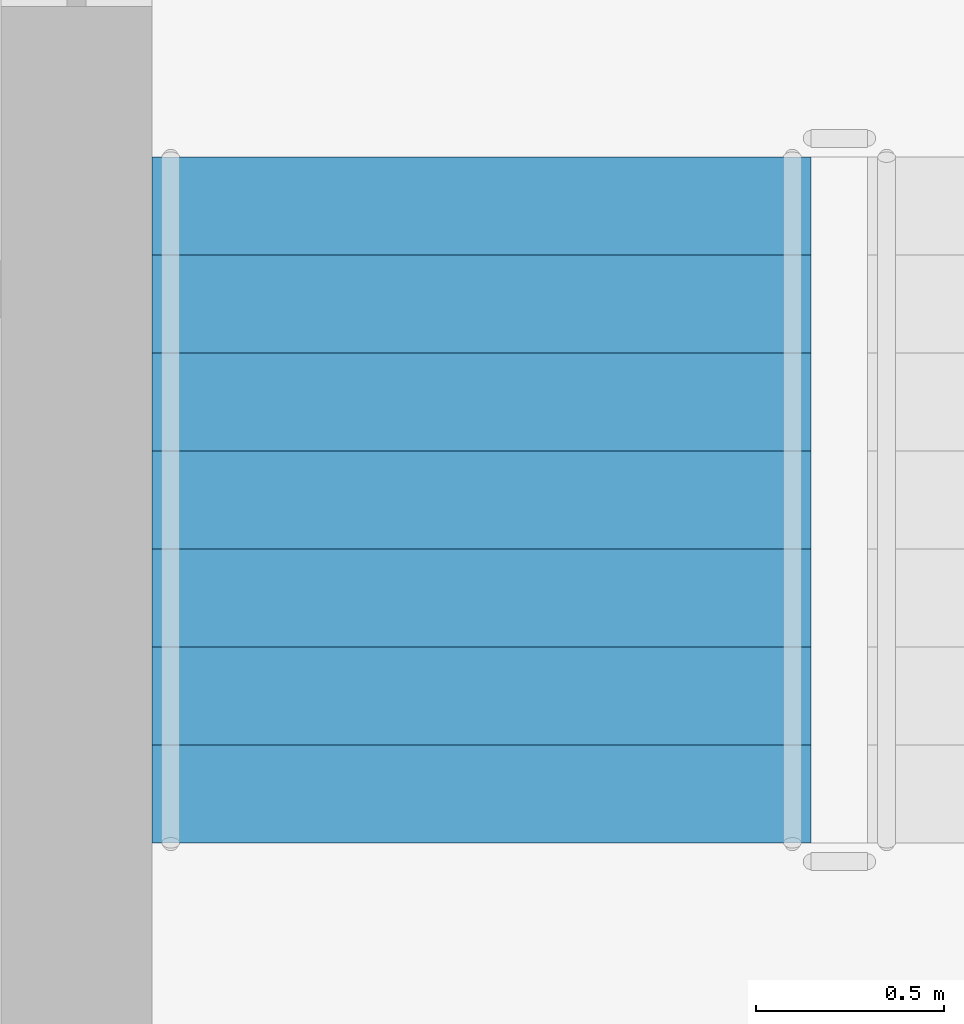
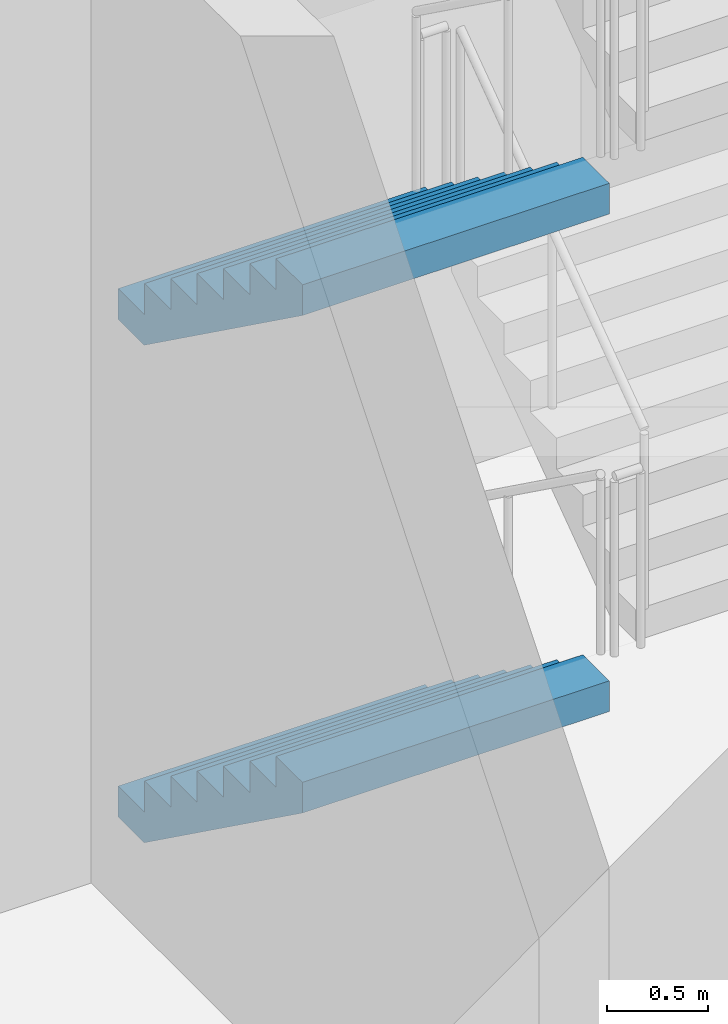
# One storey, part 51 of 75: 2 stair flights, 1 element without a shape of its own.
"""IFC4 building model written with IfcOpenShell, lengths in metres."""

from ifc_helpers import new_model, si_unit, direction, frame, origin, place, context, subcontext, project, spatial, faceted_brep, material, type_object, element, aggregate, save


model = new_model("IFC4")

# Units and contexts
model_context = context("Model", 3, precision=1e-05, world=origin(), true_north=direction((0.0, 1.0)))
body_context = subcontext(model_context, "Body", "Model", "MODEL_VIEW")
ifc_project = project(units=[si_unit("LENGTHUNIT", "METRE"), si_unit("AREAUNIT", "SQUARE_METRE"), si_unit("VOLUMEUNIT", "CUBIC_METRE"), si_unit("PLANEANGLEUNIT", "RADIAN"), si_unit("MASSUNIT", "GRAM", prefix="KILO")], contexts=[model_context])

# Site, building, storey
site_placement = place(None, origin())
site = spatial("IfcSite", under=ifc_project, at=site_placement, CompositionType="ELEMENT")
building_placement = place(site_placement, origin())
building = spatial("IfcBuilding", under=site, at=building_placement, Name="Ipe Terrace Towers", CompositionType="ELEMENT")
storey_placement = place(building_placement, origin())
storey = spatial("IfcBuildingStorey", under=building, at=storey_placement, Name="L00", CompositionType="ELEMENT", Elevation=0.0)

# Stair, stair flights
ifc_material_1 = material(Name="Concrete C30/37", Category="concrete")
stair_type = type_object("IfcStairType", Name="Protected exit stair", PredefinedType="HALF_TURN_STAIR", material=ifc_material_1)
stair_placement = place(storey_placement, origin())
stair = element("IfcStair", 1, at=stair_placement, inside=storey, type_object=stair_type, Name="L00 Exit stair T2-C2", PredefinedType="HALF_TURN_STAIR")
ifc_material_2 = material(Name="Concrete C30/37", Category="concrete")
stair_flight_type = type_object("IfcStairFlightType", Name="Exit stair flight 1750", PredefinedType="STRAIGHT", material=ifc_material_2)
stair_flight_1_placement = place(storey_placement, frame((38.77490234375, -9.699951171875, 0.0), z_axis=(0.0, 0.0, 1.0), x_axis=(0.0, -1.0, 0.0)))
stair_flight_1 = element("IfcStairFlight", 2, at=stair_flight_1_placement, type_object=stair_flight_type, Name="T2-ST2 flight 1", NumberOfRisers=8, NumberOfTreads=7, PredefinedType="STRAIGHT", RiserHeight=0.1875, TreadLength=0.26, context=body_context, shape_type="Brep", body=[
    faceted_brep([(0.25634765625, -0.875, 0.0), (1.820068359375, -0.875, 1.127685546875), (1.820068359375, -0.875, 1.3125), (1.56005859375, -0.875, 1.3125), (1.56005859375, -0.875, 1.125), (1.300048828125, -0.875, 1.125), (1.300048828125, -0.875, 0.9375), (1.0400390625, -0.875, 0.9375), (1.0400390625, -0.875, 0.75), (0.780029296875, -0.875, 0.75), (0.780029296875, -0.875, 0.5625), (0.52001953125, -0.875, 0.5625), (0.52001953125, -0.875, 0.375), (0.260009765625, -0.875, 0.375), (0.260009765625, -0.875, 0.1875), (0.0, -0.875, 0.1875), (0.0, -0.875, 0.0), (0.0, 0.875, 0.0), (0.0, 0.875, 0.1875), (0.260009765625, 0.875, 0.1875), (0.260009765625, 0.875, 0.375), (0.52001953125, 0.875, 0.375), (0.52001953125, 0.875, 0.5625), (0.780029296875, 0.875, 0.5625), (0.780029296875, 0.875, 0.75), (1.0400390625, 0.875, 0.75), (1.0400390625, 0.875, 0.9375), (1.300048828125, 0.875, 0.9375), (1.300048828125, 0.875, 1.125), (1.56005859375, 0.875, 1.125), (1.56005859375, 0.875, 1.3125), (1.820068359375, 0.875, 1.3125), (1.820068359375, 0.875, 1.127685546875), (0.25634765625, 0.875, 0.0), (0.0, -0.300048828125, 0.1875), (0.0, -0.1201171875, 0.1875), (0.0, -0.06005859375, 0.1875), (0.0, -0.030029296875, 0.1875), (0.0, -0.010009765625, 0.1875), (0.0, 0.0, 0.1875), (0.0, 0.010009765625, 0.1875), (0.0, 0.030029296875, 0.1875), (0.0, 0.06005859375, 0.1875), (0.0, 0.1201171875, 0.1875), (0.0, 0.300048828125, 0.1875), (0.0, 0.300048828125, 0.0), (0.0, 0.1201171875, 0.0), (0.0, 0.06005859375, 0.0), (0.0, 0.030029296875, 0.0), (0.0, 0.010009765625, 0.0), (0.0, 0.0, 0.0), (0.0, -0.010009765625, 0.0), (0.0, -0.030029296875, 0.0), (0.0, -0.06005859375, 0.0), (0.0, -0.1201171875, 0.0), (0.0, -0.300048828125, 0.0), (0.260009765625, -0.300048828125, 0.1875), (0.260009765625, -0.1201171875, 0.1875), (0.260009765625, -0.06005859375, 0.1875), (0.260009765625, -0.030029296875, 0.1875), (0.260009765625, -0.010009765625, 0.1875), (0.260009765625, 0.0, 0.1875), (0.260009765625, 0.010009765625, 0.1875), (0.260009765625, 0.030029296875, 0.1875), (0.260009765625, 0.06005859375, 0.1875), (0.260009765625, 0.1201171875, 0.1875), (0.260009765625, 0.300048828125, 0.1875), (0.260009765625, -0.300048828125, 0.375), (0.260009765625, -0.1201171875, 0.375), (0.260009765625, -0.06005859375, 0.375), (0.260009765625, -0.030029296875, 0.375), (0.260009765625, -0.010009765625, 0.375), (0.260009765625, 0.0, 0.375), (0.260009765625, 0.010009765625, 0.375), (0.260009765625, 0.030029296875, 0.375), (0.260009765625, 0.06005859375, 0.375), (0.260009765625, 0.1201171875, 0.375), (0.260009765625, 0.300048828125, 0.375), (0.52001953125, -0.300048828125, 0.375), (0.52001953125, -0.1201171875, 0.375), (0.52001953125, -0.06005859375, 0.375), (0.52001953125, -0.030029296875, 0.375), (0.52001953125, -0.010009765625, 0.375), (0.52001953125, 0.0, 0.375), (0.52001953125, 0.010009765625, 0.375), (0.52001953125, 0.030029296875, 0.375), (0.52001953125, 0.06005859375, 0.375), (0.52001953125, 0.1201171875, 0.375), (0.52001953125, 0.300048828125, 0.375), (0.52001953125, -0.300048828125, 0.5625), (0.52001953125, -0.1201171875, 0.5625), (0.52001953125, -0.06005859375, 0.5625), (0.52001953125, -0.030029296875, 0.5625), (0.52001953125, -0.010009765625, 0.5625), (0.52001953125, 0.0, 0.5625), (0.52001953125, 0.010009765625, 0.5625), (0.52001953125, 0.030029296875, 0.5625), (0.52001953125, 0.06005859375, 0.5625), (0.52001953125, 0.1201171875, 0.5625), (0.52001953125, 0.300048828125, 0.5625), (0.780029296875, -0.300048828125, 0.5625), (0.780029296875, -0.1201171875, 0.5625), (0.780029296875, -0.06005859375, 0.5625), (0.780029296875, -0.030029296875, 0.5625), (0.780029296875, -0.010009765625, 0.5625), (0.780029296875, 0.0, 0.5625), (0.780029296875, 0.010009765625, 0.5625), (0.780029296875, 0.030029296875, 0.5625), (0.780029296875, 0.06005859375, 0.5625), (0.780029296875, 0.1201171875, 0.5625), (0.780029296875, 0.300048828125, 0.5625), (0.780029296875, -0.300048828125, 0.75), (0.780029296875, -0.1201171875, 0.75), (0.780029296875, -0.06005859375, 0.75), (0.780029296875, -0.030029296875, 0.75), (0.780029296875, -0.010009765625, 0.75), (0.780029296875, 0.0, 0.75), (0.780029296875, 0.010009765625, 0.75), (0.780029296875, 0.030029296875, 0.75), (0.780029296875, 0.06005859375, 0.75), (0.780029296875, 0.1201171875, 0.75), (0.780029296875, 0.300048828125, 0.75), (1.0400390625, -0.300048828125, 0.75), (1.0400390625, -0.1201171875, 0.75), (1.0400390625, -0.06005859375, 0.75), (1.0400390625, -0.030029296875, 0.75), (1.0400390625, -0.010009765625, 0.75), (1.0400390625, 0.0, 0.75), (1.0400390625, 0.010009765625, 0.75), (1.0400390625, 0.030029296875, 0.75), (1.0400390625, 0.06005859375, 0.75), (1.0400390625, 0.1201171875, 0.75), (1.0400390625, 0.300048828125, 0.75), (1.0400390625, -0.300048828125, 0.9375), (1.0400390625, -0.1201171875, 0.9375), (1.0400390625, -0.06005859375, 0.9375), (1.0400390625, -0.030029296875, 0.9375), (1.0400390625, -0.010009765625, 0.9375), (1.0400390625, 0.0, 0.9375), (1.0400390625, 0.010009765625, 0.9375), (1.0400390625, 0.030029296875, 0.9375), (1.0400390625, 0.06005859375, 0.9375), (1.0400390625, 0.1201171875, 0.9375), (1.0400390625, 0.300048828125, 0.9375), (1.300048828125, -0.300048828125, 0.9375), (1.300048828125, -0.1201171875, 0.9375), (1.300048828125, -0.06005859375, 0.9375), (1.300048828125, -0.030029296875, 0.9375), (1.300048828125, -0.010009765625, 0.9375), (1.300048828125, 0.0, 0.9375), (1.300048828125, 0.010009765625, 0.9375), (1.300048828125, 0.030029296875, 0.9375), (1.300048828125, 0.06005859375, 0.9375), (1.300048828125, 0.1201171875, 0.9375), (1.300048828125, 0.300048828125, 0.9375), (1.300048828125, -0.300048828125, 1.125), (1.300048828125, -0.1201171875, 1.125), (1.300048828125, -0.06005859375, 1.125), (1.300048828125, -0.030029296875, 1.125), (1.300048828125, -0.010009765625, 1.125), (1.300048828125, 0.0, 1.125), (1.300048828125, 0.010009765625, 1.125), (1.300048828125, 0.030029296875, 1.125), (1.300048828125, 0.06005859375, 1.125), (1.300048828125, 0.1201171875, 1.125), (1.300048828125, 0.300048828125, 1.125), (1.56005859375, -0.300048828125, 1.125), (1.56005859375, -0.1201171875, 1.125), (1.56005859375, -0.06005859375, 1.125), (1.56005859375, -0.030029296875, 1.125), (1.56005859375, -0.010009765625, 1.125), (1.56005859375, 0.0, 1.125), (1.56005859375, 0.010009765625, 1.125), (1.56005859375, 0.030029296875, 1.125), (1.56005859375, 0.06005859375, 1.125), (1.56005859375, 0.1201171875, 1.125), (1.56005859375, 0.300048828125, 1.125), (1.56005859375, -0.300048828125, 1.3125), (1.56005859375, -0.1201171875, 1.3125), (1.56005859375, -0.06005859375, 1.3125), (1.56005859375, -0.030029296875, 1.3125), (1.56005859375, -0.010009765625, 1.3125), (1.56005859375, 0.0, 1.3125), (1.56005859375, 0.010009765625, 1.3125), (1.56005859375, 0.030029296875, 1.3125), (1.56005859375, 0.06005859375, 1.3125), (1.56005859375, 0.1201171875, 1.3125), (1.56005859375, 0.300048828125, 1.3125), (1.820068359375, -0.300048828125, 1.3125), (1.820068359375, -0.1201171875, 1.3125), (1.820068359375, -0.06005859375, 1.3125), (1.820068359375, -0.030029296875, 1.3125), (1.820068359375, -0.010009765625, 1.3125), (1.820068359375, 0.0, 1.3125), (1.820068359375, 0.010009765625, 1.3125), (1.820068359375, 0.030029296875, 1.3125), (1.820068359375, 0.06005859375, 1.3125), (1.820068359375, 0.1201171875, 1.3125), (1.820068359375, 0.300048828125, 1.3125), (1.820068359375, -0.300048828125, 1.127685546875), (1.820068359375, -0.1201171875, 1.127685546875), (1.820068359375, -0.06005859375, 1.127685546875), (1.820068359375, -0.030029296875, 1.127685546875), (1.820068359375, -0.010009765625, 1.127685546875), (1.820068359375, 0.0, 1.127685546875), (1.820068359375, 0.010009765625, 1.127685546875), (1.820068359375, 0.030029296875, 1.127685546875), (1.820068359375, 0.06005859375, 1.127685546875), (1.820068359375, 0.1201171875, 1.127685546875), (1.820068359375, 0.300048828125, 1.127685546875), (0.25634765625, -0.300048828125, 0.0), (0.25634765625, -0.1201171875, 0.0), (0.25634765625, -0.06005859375, 0.0), (0.25634765625, -0.030029296875, 0.0), (0.25634765625, -0.010009765625, 0.0), (0.25634765625, 0.0, 0.0), (0.25634765625, 0.010009765625, 0.0), (0.25634765625, 0.030029296875, 0.0), (0.25634765625, 0.06005859375, 0.0), (0.25634765625, 0.1201171875, 0.0), (0.25634765625, 0.300048828125, 0.0)], [[[0, 1, 2, 3, 4, 5, 6, 7, 8, 9, 10, 11, 12, 13, 14, 15, 16]], [[17, 18, 19, 20, 21, 22, 23, 24, 25, 26, 27, 28, 29, 30, 31, 32, 33]], [[15, 34, 35, 36, 37, 38, 39, 40, 41, 42, 43, 44, 18, 17, 45, 46, 47, 48, 49, 50, 51, 52, 53, 54, 55, 16]], [[14, 56, 57, 58, 59, 60, 61, 62, 63, 64, 65, 66, 19, 18, 44, 43, 42, 41, 40, 39, 38, 37, 36, 35, 34, 15]], [[13, 67, 68, 69, 70, 71, 72, 73, 74, 75, 76, 77, 20, 19, 66, 65, 64, 63, 62, 61, 60, 59, 58, 57, 56, 14]], [[12, 78, 79, 80, 81, 82, 83, 84, 85, 86, 87, 88, 21, 20, 77, 76, 75, 74, 73, 72, 71, 70, 69, 68, 67, 13]], [[11, 89, 90, 91, 92, 93, 94, 95, 96, 97, 98, 99, 22, 21, 88, 87, 86, 85, 84, 83, 82, 81, 80, 79, 78, 12]], [[10, 100, 101, 102, 103, 104, 105, 106, 107, 108, 109, 110, 23, 22, 99, 98, 97, 96, 95, 94, 93, 92, 91, 90, 89, 11]], [[9, 111, 112, 113, 114, 115, 116, 117, 118, 119, 120, 121, 24, 23, 110, 109, 108, 107, 106, 105, 104, 103, 102, 101, 100, 10]], [[8, 122, 123, 124, 125, 126, 127, 128, 129, 130, 131, 132, 25, 24, 121, 120, 119, 118, 117, 116, 115, 114, 113, 112, 111, 9]], [[7, 133, 134, 135, 136, 137, 138, 139, 140, 141, 142, 143, 26, 25, 132, 131, 130, 129, 128, 127, 126, 125, 124, 123, 122, 8]], [[6, 144, 145, 146, 147, 148, 149, 150, 151, 152, 153, 154, 27, 26, 143, 142, 141, 140, 139, 138, 137, 136, 135, 134, 133, 7]], [[5, 155, 156, 157, 158, 159, 160, 161, 162, 163, 164, 165, 28, 27, 154, 153, 152, 151, 150, 149, 148, 147, 146, 145, 144, 6]], [[4, 166, 167, 168, 169, 170, 171, 172, 173, 174, 175, 176, 29, 28, 165, 164, 163, 162, 161, 160, 159, 158, 157, 156, 155, 5]], [[3, 177, 178, 179, 180, 181, 182, 183, 184, 185, 186, 187, 30, 29, 176, 175, 174, 173, 172, 171, 170, 169, 168, 167, 166, 4]], [[2, 188, 189, 190, 191, 192, 193, 194, 195, 196, 197, 198, 31, 30, 187, 186, 185, 184, 183, 182, 181, 180, 179, 178, 177, 3]], [[1, 199, 200, 201, 202, 203, 204, 205, 206, 207, 208, 209, 32, 31, 198, 197, 196, 195, 194, 193, 192, 191, 190, 189, 188, 2]], [[0, 210, 211, 212, 213, 214, 215, 216, 217, 218, 219, 220, 33, 32, 209, 208, 207, 206, 205, 204, 203, 202, 201, 200, 199, 1]], [[16, 55, 54, 53, 52, 51, 50, 49, 48, 47, 46, 45, 17, 33, 220, 219, 218, 217, 216, 215, 214, 213, 212, 211, 210, 0]]]),
])
stair_flight_2_placement = place(storey_placement, frame((38.77490234375, -9.699951171875, 3.0), z_axis=(0.0, 0.0, 1.0), x_axis=(0.0, -1.0, 0.0)))
stair_flight_2 = element("IfcStairFlight", 3, at=stair_flight_2_placement, type_object=stair_flight_type, Name="T2-ST2 flight 3", NumberOfRisers=8, NumberOfTreads=7, PredefinedType="STRAIGHT", RiserHeight=0.1875, TreadLength=0.26, context=body_context, shape_type="Brep", body=[
    faceted_brep([(0.25634765625, -0.875, 0.0), (1.820068359375, -0.875, 1.127685546875), (1.820068359375, -0.875, 1.3125), (1.56005859375, -0.875, 1.3125), (1.56005859375, -0.875, 1.125), (1.300048828125, -0.875, 1.125), (1.300048828125, -0.875, 0.9375), (1.0400390625, -0.875, 0.9375), (1.0400390625, -0.875, 0.75), (0.780029296875, -0.875, 0.75), (0.780029296875, -0.875, 0.5625), (0.52001953125, -0.875, 0.5625), (0.52001953125, -0.875, 0.375), (0.260009765625, -0.875, 0.375), (0.260009765625, -0.875, 0.1875), (0.0, -0.875, 0.1875), (0.0, -0.875, 0.0), (0.0, 0.875, 0.0), (0.0, 0.875, 0.1875), (0.260009765625, 0.875, 0.1875), (0.260009765625, 0.875, 0.375), (0.52001953125, 0.875, 0.375), (0.52001953125, 0.875, 0.5625), (0.780029296875, 0.875, 0.5625), (0.780029296875, 0.875, 0.75), (1.0400390625, 0.875, 0.75), (1.0400390625, 0.875, 0.9375), (1.300048828125, 0.875, 0.9375), (1.300048828125, 0.875, 1.125), (1.56005859375, 0.875, 1.125), (1.56005859375, 0.875, 1.3125), (1.820068359375, 0.875, 1.3125), (1.820068359375, 0.875, 1.127685546875), (0.25634765625, 0.875, 0.0), (0.0, -0.300048828125, 0.1875), (0.0, -0.1201171875, 0.1875), (0.0, -0.06005859375, 0.1875), (0.0, -0.030029296875, 0.1875), (0.0, -0.010009765625, 0.1875), (0.0, 0.0, 0.1875), (0.0, 0.010009765625, 0.1875), (0.0, 0.030029296875, 0.1875), (0.0, 0.06005859375, 0.1875), (0.0, 0.1201171875, 0.1875), (0.0, 0.300048828125, 0.1875), (0.0, 0.300048828125, 0.0), (0.0, 0.1201171875, 0.0), (0.0, 0.06005859375, 0.0), (0.0, 0.030029296875, 0.0), (0.0, 0.010009765625, 0.0), (0.0, 0.0, 0.0), (0.0, -0.010009765625, 0.0), (0.0, -0.030029296875, 0.0), (0.0, -0.06005859375, 0.0), (0.0, -0.1201171875, 0.0), (0.0, -0.300048828125, 0.0), (0.260009765625, -0.300048828125, 0.1875), (0.260009765625, -0.1201171875, 0.1875), (0.260009765625, -0.06005859375, 0.1875), (0.260009765625, -0.030029296875, 0.1875), (0.260009765625, -0.010009765625, 0.1875), (0.260009765625, 0.0, 0.1875), (0.260009765625, 0.010009765625, 0.1875), (0.260009765625, 0.030029296875, 0.1875), (0.260009765625, 0.06005859375, 0.1875), (0.260009765625, 0.1201171875, 0.1875), (0.260009765625, 0.300048828125, 0.1875), (0.260009765625, -0.300048828125, 0.375), (0.260009765625, -0.1201171875, 0.375), (0.260009765625, -0.06005859375, 0.375), (0.260009765625, -0.030029296875, 0.375), (0.260009765625, -0.010009765625, 0.375), (0.260009765625, 0.0, 0.375), (0.260009765625, 0.010009765625, 0.375), (0.260009765625, 0.030029296875, 0.375), (0.260009765625, 0.06005859375, 0.375), (0.260009765625, 0.1201171875, 0.375), (0.260009765625, 0.300048828125, 0.375), (0.52001953125, -0.300048828125, 0.375), (0.52001953125, -0.1201171875, 0.375), (0.52001953125, -0.06005859375, 0.375), (0.52001953125, -0.030029296875, 0.375), (0.52001953125, -0.010009765625, 0.375), (0.52001953125, 0.0, 0.375), (0.52001953125, 0.010009765625, 0.375), (0.52001953125, 0.030029296875, 0.375), (0.52001953125, 0.06005859375, 0.375), (0.52001953125, 0.1201171875, 0.375), (0.52001953125, 0.300048828125, 0.375), (0.52001953125, -0.300048828125, 0.5625), (0.52001953125, -0.1201171875, 0.5625), (0.52001953125, -0.06005859375, 0.5625), (0.52001953125, -0.030029296875, 0.5625), (0.52001953125, -0.010009765625, 0.5625), (0.52001953125, 0.0, 0.5625), (0.52001953125, 0.010009765625, 0.5625), (0.52001953125, 0.030029296875, 0.5625), (0.52001953125, 0.06005859375, 0.5625), (0.52001953125, 0.1201171875, 0.5625), (0.52001953125, 0.300048828125, 0.5625), (0.780029296875, -0.300048828125, 0.5625), (0.780029296875, -0.1201171875, 0.5625), (0.780029296875, -0.06005859375, 0.5625), (0.780029296875, -0.030029296875, 0.5625), (0.780029296875, -0.010009765625, 0.5625), (0.780029296875, 0.0, 0.5625), (0.780029296875, 0.010009765625, 0.5625), (0.780029296875, 0.030029296875, 0.5625), (0.780029296875, 0.06005859375, 0.5625), (0.780029296875, 0.1201171875, 0.5625), (0.780029296875, 0.300048828125, 0.5625), (0.780029296875, -0.300048828125, 0.75), (0.780029296875, -0.1201171875, 0.75), (0.780029296875, -0.06005859375, 0.75), (0.780029296875, -0.030029296875, 0.75), (0.780029296875, -0.010009765625, 0.75), (0.780029296875, 0.0, 0.75), (0.780029296875, 0.010009765625, 0.75), (0.780029296875, 0.030029296875, 0.75), (0.780029296875, 0.06005859375, 0.75), (0.780029296875, 0.1201171875, 0.75), (0.780029296875, 0.300048828125, 0.75), (1.0400390625, -0.300048828125, 0.75), (1.0400390625, -0.1201171875, 0.75), (1.0400390625, -0.06005859375, 0.75), (1.0400390625, -0.030029296875, 0.75), (1.0400390625, -0.010009765625, 0.75), (1.0400390625, 0.0, 0.75), (1.0400390625, 0.010009765625, 0.75), (1.0400390625, 0.030029296875, 0.75), (1.0400390625, 0.06005859375, 0.75), (1.0400390625, 0.1201171875, 0.75), (1.0400390625, 0.300048828125, 0.75), (1.0400390625, -0.300048828125, 0.9375), (1.0400390625, -0.1201171875, 0.9375), (1.0400390625, -0.06005859375, 0.9375), (1.0400390625, -0.030029296875, 0.9375), (1.0400390625, -0.010009765625, 0.9375), (1.0400390625, 0.0, 0.9375), (1.0400390625, 0.010009765625, 0.9375), (1.0400390625, 0.030029296875, 0.9375), (1.0400390625, 0.06005859375, 0.9375), (1.0400390625, 0.1201171875, 0.9375), (1.0400390625, 0.300048828125, 0.9375), (1.300048828125, -0.300048828125, 0.9375), (1.300048828125, -0.1201171875, 0.9375), (1.300048828125, -0.06005859375, 0.9375), (1.300048828125, -0.030029296875, 0.9375), (1.300048828125, -0.010009765625, 0.9375), (1.300048828125, 0.0, 0.9375), (1.300048828125, 0.010009765625, 0.9375), (1.300048828125, 0.030029296875, 0.9375), (1.300048828125, 0.06005859375, 0.9375), (1.300048828125, 0.1201171875, 0.9375), (1.300048828125, 0.300048828125, 0.9375), (1.300048828125, -0.300048828125, 1.125), (1.300048828125, -0.1201171875, 1.125), (1.300048828125, -0.06005859375, 1.125), (1.300048828125, -0.030029296875, 1.125), (1.300048828125, -0.010009765625, 1.125), (1.300048828125, 0.0, 1.125), (1.300048828125, 0.010009765625, 1.125), (1.300048828125, 0.030029296875, 1.125), (1.300048828125, 0.06005859375, 1.125), (1.300048828125, 0.1201171875, 1.125), (1.300048828125, 0.300048828125, 1.125), (1.56005859375, -0.300048828125, 1.125), (1.56005859375, -0.1201171875, 1.125), (1.56005859375, -0.06005859375, 1.125), (1.56005859375, -0.030029296875, 1.125), (1.56005859375, -0.010009765625, 1.125), (1.56005859375, 0.0, 1.125), (1.56005859375, 0.010009765625, 1.125), (1.56005859375, 0.030029296875, 1.125), (1.56005859375, 0.06005859375, 1.125), (1.56005859375, 0.1201171875, 1.125), (1.56005859375, 0.300048828125, 1.125), (1.56005859375, -0.300048828125, 1.3125), (1.56005859375, -0.1201171875, 1.3125), (1.56005859375, -0.06005859375, 1.3125), (1.56005859375, -0.030029296875, 1.3125), (1.56005859375, -0.010009765625, 1.3125), (1.56005859375, 0.0, 1.3125), (1.56005859375, 0.010009765625, 1.3125), (1.56005859375, 0.030029296875, 1.3125), (1.56005859375, 0.06005859375, 1.3125), (1.56005859375, 0.1201171875, 1.3125), (1.56005859375, 0.300048828125, 1.3125), (1.820068359375, -0.300048828125, 1.3125), (1.820068359375, -0.1201171875, 1.3125), (1.820068359375, -0.06005859375, 1.3125), (1.820068359375, -0.030029296875, 1.3125), (1.820068359375, -0.010009765625, 1.3125), (1.820068359375, 0.0, 1.3125), (1.820068359375, 0.010009765625, 1.3125), (1.820068359375, 0.030029296875, 1.3125), (1.820068359375, 0.06005859375, 1.3125), (1.820068359375, 0.1201171875, 1.3125), (1.820068359375, 0.300048828125, 1.3125), (1.820068359375, -0.300048828125, 1.127685546875), (1.820068359375, -0.1201171875, 1.127685546875), (1.820068359375, -0.06005859375, 1.127685546875), (1.820068359375, -0.030029296875, 1.127685546875), (1.820068359375, -0.010009765625, 1.127685546875), (1.820068359375, 0.0, 1.127685546875), (1.820068359375, 0.010009765625, 1.127685546875), (1.820068359375, 0.030029296875, 1.127685546875), (1.820068359375, 0.06005859375, 1.127685546875), (1.820068359375, 0.1201171875, 1.127685546875), (1.820068359375, 0.300048828125, 1.127685546875), (0.25634765625, -0.300048828125, 0.0), (0.25634765625, -0.1201171875, 0.0), (0.25634765625, -0.06005859375, 0.0), (0.25634765625, -0.030029296875, 0.0), (0.25634765625, -0.010009765625, 0.0), (0.25634765625, 0.0, 0.0), (0.25634765625, 0.010009765625, 0.0), (0.25634765625, 0.030029296875, 0.0), (0.25634765625, 0.06005859375, 0.0), (0.25634765625, 0.1201171875, 0.0), (0.25634765625, 0.300048828125, 0.0)], [[[0, 1, 2, 3, 4, 5, 6, 7, 8, 9, 10, 11, 12, 13, 14, 15, 16]], [[17, 18, 19, 20, 21, 22, 23, 24, 25, 26, 27, 28, 29, 30, 31, 32, 33]], [[15, 34, 35, 36, 37, 38, 39, 40, 41, 42, 43, 44, 18, 17, 45, 46, 47, 48, 49, 50, 51, 52, 53, 54, 55, 16]], [[14, 56, 57, 58, 59, 60, 61, 62, 63, 64, 65, 66, 19, 18, 44, 43, 42, 41, 40, 39, 38, 37, 36, 35, 34, 15]], [[13, 67, 68, 69, 70, 71, 72, 73, 74, 75, 76, 77, 20, 19, 66, 65, 64, 63, 62, 61, 60, 59, 58, 57, 56, 14]], [[12, 78, 79, 80, 81, 82, 83, 84, 85, 86, 87, 88, 21, 20, 77, 76, 75, 74, 73, 72, 71, 70, 69, 68, 67, 13]], [[11, 89, 90, 91, 92, 93, 94, 95, 96, 97, 98, 99, 22, 21, 88, 87, 86, 85, 84, 83, 82, 81, 80, 79, 78, 12]], [[10, 100, 101, 102, 103, 104, 105, 106, 107, 108, 109, 110, 23, 22, 99, 98, 97, 96, 95, 94, 93, 92, 91, 90, 89, 11]], [[9, 111, 112, 113, 114, 115, 116, 117, 118, 119, 120, 121, 24, 23, 110, 109, 108, 107, 106, 105, 104, 103, 102, 101, 100, 10]], [[8, 122, 123, 124, 125, 126, 127, 128, 129, 130, 131, 132, 25, 24, 121, 120, 119, 118, 117, 116, 115, 114, 113, 112, 111, 9]], [[7, 133, 134, 135, 136, 137, 138, 139, 140, 141, 142, 143, 26, 25, 132, 131, 130, 129, 128, 127, 126, 125, 124, 123, 122, 8]], [[6, 144, 145, 146, 147, 148, 149, 150, 151, 152, 153, 154, 27, 26, 143, 142, 141, 140, 139, 138, 137, 136, 135, 134, 133, 7]], [[5, 155, 156, 157, 158, 159, 160, 161, 162, 163, 164, 165, 28, 27, 154, 153, 152, 151, 150, 149, 148, 147, 146, 145, 144, 6]], [[4, 166, 167, 168, 169, 170, 171, 172, 173, 174, 175, 176, 29, 28, 165, 164, 163, 162, 161, 160, 159, 158, 157, 156, 155, 5]], [[3, 177, 178, 179, 180, 181, 182, 183, 184, 185, 186, 187, 30, 29, 176, 175, 174, 173, 172, 171, 170, 169, 168, 167, 166, 4]], [[2, 188, 189, 190, 191, 192, 193, 194, 195, 196, 197, 198, 31, 30, 187, 186, 185, 184, 183, 182, 181, 180, 179, 178, 177, 3]], [[1, 199, 200, 201, 202, 203, 204, 205, 206, 207, 208, 209, 32, 31, 198, 197, 196, 195, 194, 193, 192, 191, 190, 189, 188, 2]], [[0, 210, 211, 212, 213, 214, 215, 216, 217, 218, 219, 220, 33, 32, 209, 208, 207, 206, 205, 204, 203, 202, 201, 200, 199, 1]], [[16, 55, 54, 53, 52, 51, 50, 49, 48, 47, 46, 45, 17, 33, 220, 219, 218, 217, 216, 215, 214, 213, 212, 211, 210, 0]]]),
])
aggregate(stair, [stair_flight_1, stair_flight_2])

save(model, "model.ifc")
